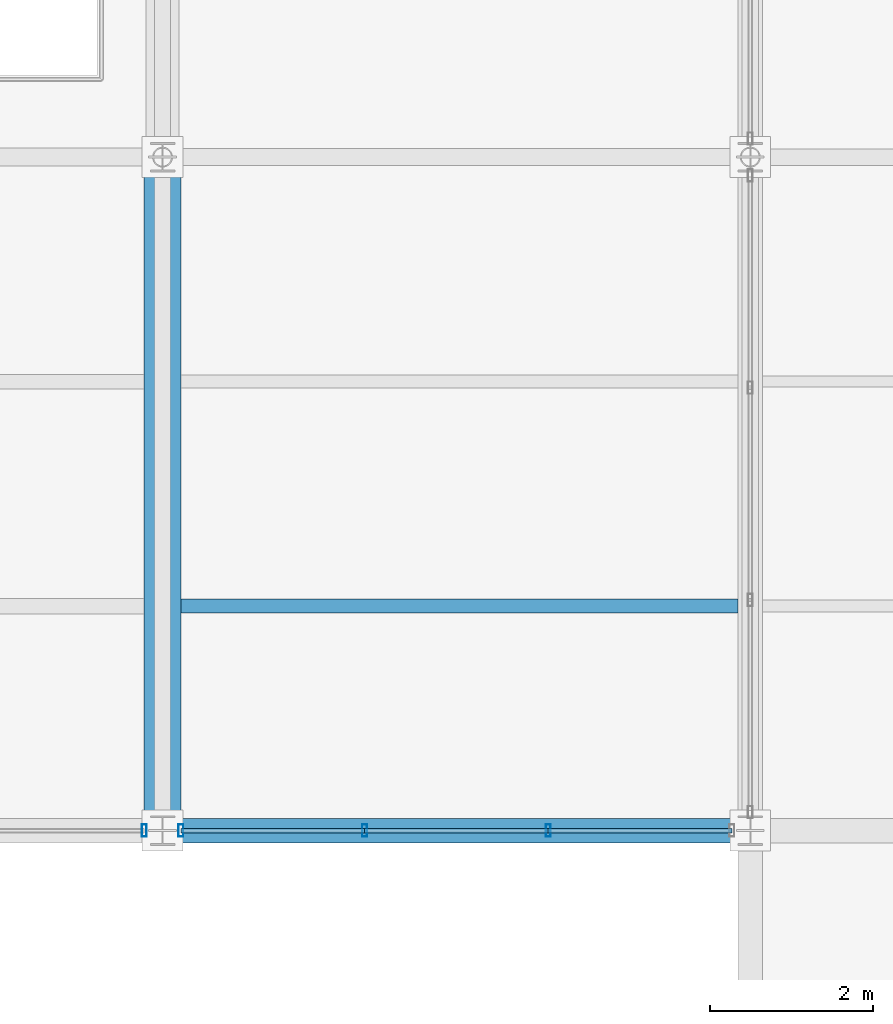
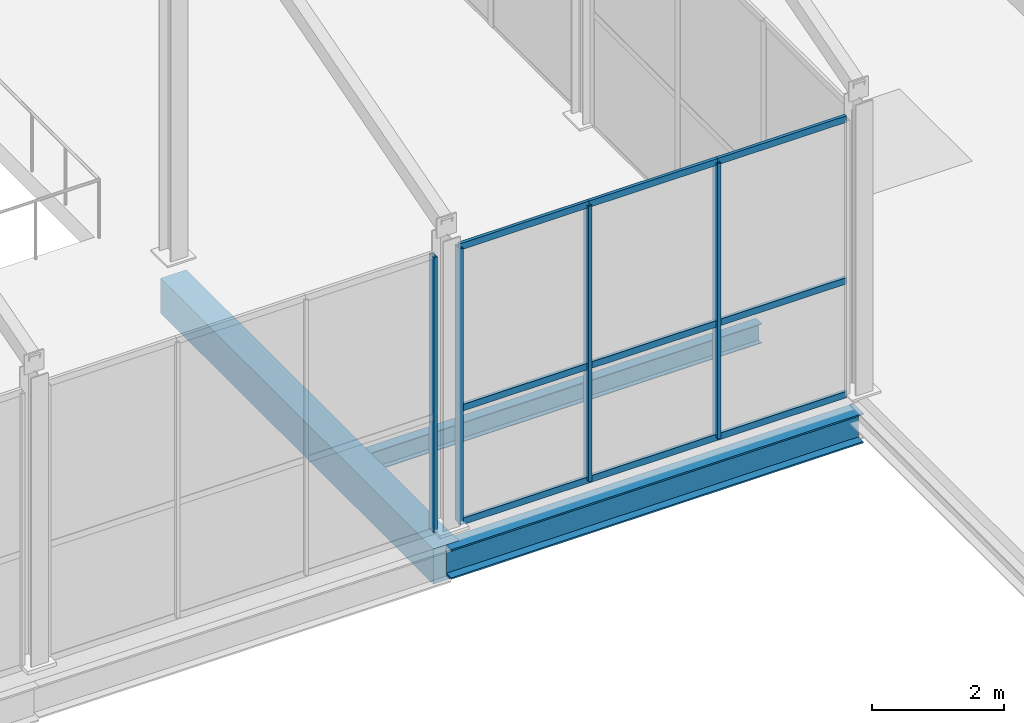
# One storey, part 62 of 141: 13 members, 3 beams, 2 elements without a shape of their own.
"""IFC4 building model written with IfcOpenShell, lengths in metres."""

from ifc_helpers import new_model, si_unit, direction, frame, origin, origin_2d, place, context, subcontext, project, spatial, rectangle, hollow_rectangle, i_section, extrude, material, layer, layer_set, material_profile, profile_set, type_object, element, aggregate, save


model = new_model("IFC4")

# Units and contexts
model_context = context("Model", 3, precision=1e-05, world=origin(), true_north=direction((0.0, 1.0)))
body_context = subcontext(model_context, "Body", "Model", "MODEL_VIEW")
ifc_project = project(units=[si_unit("LENGTHUNIT", "METRE"), si_unit("AREAUNIT", "SQUARE_METRE"), si_unit("VOLUMEUNIT", "CUBIC_METRE"), si_unit("PLANEANGLEUNIT", "RADIAN"), si_unit("MASSUNIT", "GRAM", prefix="KILO")], contexts=[model_context])

# Site, building, storey
site_placement = place(None, origin())
site = spatial("IfcSite", under=ifc_project, at=site_placement, CompositionType="ELEMENT")
building_placement = place(site_placement, origin())
building = spatial("IfcBuilding", under=site, at=building_placement, Name="Sundgate Opera House", CompositionType="ELEMENT")
storey_placement = place(building_placement, frame((0.0, 0.0, 11.39990234375)))
storey = spatial("IfcBuildingStorey", under=building, at=storey_placement, Name="L02", CompositionType="ELEMENT", Elevation=11.39990234375)

# Beams
ifc_material_1 = material(Name="Steel S355J2", Category="steel")
ifc_material_profile_1 = material_profile(ifc_material_1, i_section(OverallWidth=0.300048828125, OverallDepth=0.550048828125, WebThickness=0.014892578125, FlangeThickness=0.029052734375, at=origin_2d()), Name="HEB 550")
ifc_profile_set_1 = profile_set([ifc_material_profile_1], Name="Steel S355J2")
beam_type_1 = type_object("IfcBeamType", Name="BM-GR-HEB550", PredefinedType="BEAM", material=ifc_profile_set_1)
beam_1_placement = place(storey_placement, frame((145.800048828125, 8.25, -0.625), z_axis=(1.0, 0.0, 0.0), x_axis=(0.0, 1.0, 0.0)))
element("IfcBeam", 1, at=beam_1_placement, inside=storey, type_object=beam_type_1, Name="L02 Primary E-W Girder B1970", PredefinedType="BEAM", context=body_context, shape_type="SweptSolid", body=[
    extrude(i_section(OverallWidth=0.300048828125, OverallDepth=0.550048828125, WebThickness=0.014892578125, FlangeThickness=0.029052734375, at=origin_2d()), origin(), (0.0, 0.0, 1.0), 7.199951171875),
])
ifc_material_2 = material(Name="Steel S355J2", Category="steel")
ifc_material_profile_2 = material_profile(ifc_material_2, i_section(OverallWidth=0.169921875, OverallDepth=0.360107421875, WebThickness=0.008056640625, FlangeThickness=0.0126953125, at=origin_2d()), Name="IPE 360")
ifc_profile_set_2 = profile_set([ifc_material_profile_2], Name="Steel S355J2")
beam_type_2 = type_object("IfcBeamType", Name="BM-JS-IPE360", PredefinedType="JOIST", material=ifc_profile_set_2)
beam_2_placement = place(storey_placement, frame((146.02490234375, 11.0, -0.52978515625), z_axis=(1.0, 0.0, 0.0), x_axis=(0.0, 1.0, 0.0)))
element("IfcBeam", 2, at=beam_2_placement, inside=storey, type_object=beam_type_2, Name="L02 Secondary Floor Joist B2159", PredefinedType="JOIST", context=body_context, shape_type="SweptSolid", body=[
    extrude(i_section(OverallWidth=0.169921875, OverallDepth=0.360107421875, WebThickness=0.008056640625, FlangeThickness=0.0126953125, at=origin_2d()), origin(), (0.0, 0.0, 1.0), 6.8251953125),
])
ifc_material_3 = material(Name="Concrete C35/45", Category="concrete")
ifc_material_profile_3 = material_profile(ifc_material_3, rectangle(XDim=0.449951171875, YDim=0.64990234375, at=origin_2d()), Name="RC 450x650")
ifc_profile_set_3 = profile_set([ifc_material_profile_3], Name="Concrete C35/45")
beam_type_3 = type_object("IfcBeamType", Name="BM-RC-450x650", PredefinedType="BEAM", material=ifc_profile_set_3)
beam_3_placement = place(storey_placement, frame((145.800048828125, 8.25, -0.6748046875), z_axis=(0.0, 1.0, 0.0), x_axis=(-1.0, 0.0, 0.0)))
element("IfcBeam", 3, at=beam_3_placement, inside=storey, type_object=beam_type_3, Name="L02 Primary N-S Girder B1920", PredefinedType="BEAM", context=body_context, shape_type="SweptSolid", body=[
    extrude(rectangle(XDim=0.449951171875, YDim=0.64990234375, at=origin_2d()), origin(), (0.0, 0.0, 1.0), 8.25),
])

# Curtain wall, member
ifc_material_4 = material(Name="Anodized aluminium and low-iron glass", Category="aluminium")
ifc_layer = layer(ifc_material_4, 0.14990234375)
ifc_layer_set = layer_set([ifc_layer], Name="Anodized aluminium and low-iron glass")
curtain_wall_type = type_object("IfcCurtainWallType", Name="CW-WORKSHOP-DARK", PredefinedType="NOTDEFINED", material=ifc_layer_set)
curtain_wall_1_placement = place(storey_placement, origin())
curtain_wall_1 = element("IfcCurtainWall", 4, at=curtain_wall_1_placement, inside=storey, type_object=curtain_wall_type, Name="L02 Curtain Wall CW160", PredefinedType="NOTDEFINED")
ifc_material_5 = material(Name="Anodized aluminium EN AW-6063", Category="aluminium")
ifc_material_profile_4 = material_profile(ifc_material_5, hollow_rectangle(XDim=0.06005859375, YDim=0.14990234375, WallThickness=0.00390625, at=origin_2d()), Name="CWM 150x60x4")
ifc_profile_set_4 = profile_set([ifc_material_profile_4], Name="Anodized aluminium EN AW-6063")
member_type_1 = type_object("IfcMemberType", Name="CWM-ALU-150x60", PredefinedType="MULLION", material=ifc_profile_set_4)
member_1_placement = place(storey_placement, frame((145.574951171875, 8.25, 0.0), z_axis=(0.0, 0.0, 1.0), x_axis=(1.0, 0.0, 0.0)))
member_1 = element("IfcMember", 5, at=member_1_placement, type_object=member_type_1, Name="CW160 Mullion 1", PredefinedType="MULLION", context=body_context, shape_type="SweptSolid", body=[
    extrude(hollow_rectangle(XDim=0.06005859375, YDim=0.14990234375, WallThickness=0.00390625, at=origin_2d()), origin(), (0.0, 0.0, 1.0), 5.085205078125),
])
aggregate(curtain_wall_1, [member_1])

# Curtain wall, members
curtain_wall_2_placement = place(storey_placement, origin())
curtain_wall_2 = element("IfcCurtainWall", 6, at=curtain_wall_2_placement, inside=storey, type_object=curtain_wall_type, Name="L02 Curtain Wall CW161", PredefinedType="NOTDEFINED")
member_2_placement = place(storey_placement, frame((150.52490234375, 8.25, 0.0), z_axis=(0.0, 0.0, 1.0), x_axis=(1.0, 0.0, 0.0)))
member_2 = element("IfcMember", 7, at=member_2_placement, type_object=member_type_1, Name="CW161 Mullion 2", PredefinedType="MULLION", context=body_context, shape_type="SweptSolid", body=[
    extrude(hollow_rectangle(XDim=0.06005859375, YDim=0.14990234375, WallThickness=0.00390625, at=origin_2d()), origin(), (0.0, 0.0, 1.0), 5.085205078125),
])
member_3_placement = place(storey_placement, frame((148.27490234375, 8.25, 0.0), z_axis=(0.0, 0.0, 1.0), x_axis=(1.0, 0.0, 0.0)))
member_3 = element("IfcMember", 8, at=member_3_placement, type_object=member_type_1, Name="CW161 Mullion 3", PredefinedType="MULLION", context=body_context, shape_type="SweptSolid", body=[
    extrude(hollow_rectangle(XDim=0.06005859375, YDim=0.14990234375, WallThickness=0.00390625, at=origin_2d()), origin(), (0.0, 0.0, 1.0), 5.085205078125),
])
member_4_placement = place(storey_placement, frame((146.02490234375, 8.25, 0.0), z_axis=(0.0, 0.0, 1.0), x_axis=(1.0, 0.0, 0.0)))
member_4 = element("IfcMember", 9, at=member_4_placement, type_object=member_type_1, Name="CW161 Mullion 4", PredefinedType="MULLION", context=body_context, shape_type="SweptSolid", body=[
    extrude(hollow_rectangle(XDim=0.06005859375, YDim=0.14990234375, WallThickness=0.00390625, at=origin_2d()), origin(), (0.0, 0.0, 1.0), 5.085205078125),
])
ifc_material_6 = material(Name="Anodized aluminium EN AW-6063", Category="aluminium")
ifc_material_profile_5 = material_profile(ifc_material_6, hollow_rectangle(XDim=0.054931640625, YDim=0.1201171875, WallThickness=0.00390625, at=origin_2d()), Name="CWT 120x55x4")
ifc_profile_set_5 = profile_set([ifc_material_profile_5], Name="Anodized aluminium EN AW-6063")
member_type_2 = type_object("IfcMemberType", Name="CWT-ALU-120x55", PredefinedType="USERDEFINED", material=ifc_profile_set_5)
member_5_placement = place(storey_placement, frame((152.77490234375, 8.25, 0.0), z_axis=(-1.0, 0.0, 0.0), x_axis=(0.0, -1.0, 0.0)))
member_5 = element("IfcMember", 10, at=member_5_placement, type_object=member_type_2, Name="CW161 Transom 1", ObjectType="TRANSOM", PredefinedType="USERDEFINED", context=body_context, shape_type="SweptSolid", body=[
    extrude(hollow_rectangle(XDim=0.054931640625, YDim=0.1201171875, WallThickness=0.00390625, at=origin_2d()), origin(), (0.0, 0.0, 1.0), 2.25),
])
member_6_placement = place(storey_placement, frame((152.77490234375, 8.25, 2.10009765625), z_axis=(-1.0, 0.0, 0.0), x_axis=(0.0, -1.0, 0.0)))
member_6 = element("IfcMember", 11, at=member_6_placement, type_object=member_type_2, Name="CW161 Transom 2", ObjectType="TRANSOM", PredefinedType="USERDEFINED", context=body_context, shape_type="SweptSolid", body=[
    extrude(hollow_rectangle(XDim=0.054931640625, YDim=0.1201171875, WallThickness=0.00390625, at=origin_2d()), origin(), (0.0, 0.0, 1.0), 2.25),
])
member_7_placement = place(storey_placement, frame((152.77490234375, 8.25, 5.085205078125), z_axis=(-1.0, 0.0, 0.0), x_axis=(0.0, -1.0, 0.0)))
member_7 = element("IfcMember", 12, at=member_7_placement, type_object=member_type_2, Name="CW161 Transom 3", ObjectType="TRANSOM", PredefinedType="USERDEFINED", context=body_context, shape_type="SweptSolid", body=[
    extrude(hollow_rectangle(XDim=0.054931640625, YDim=0.1201171875, WallThickness=0.00390625, at=origin_2d()), origin(), (0.0, 0.0, 1.0), 2.25),
])
member_8_placement = place(storey_placement, frame((150.52490234375, 8.25, 0.0), z_axis=(-1.0, 0.0, 0.0), x_axis=(0.0, -1.0, 0.0)))
member_8 = element("IfcMember", 13, at=member_8_placement, type_object=member_type_2, Name="CW161 Transom 4", ObjectType="TRANSOM", PredefinedType="USERDEFINED", context=body_context, shape_type="SweptSolid", body=[
    extrude(hollow_rectangle(XDim=0.054931640625, YDim=0.1201171875, WallThickness=0.00390625, at=origin_2d()), origin(), (0.0, 0.0, 1.0), 2.25),
])
member_9_placement = place(storey_placement, frame((150.52490234375, 8.25, 2.10009765625), z_axis=(-1.0, 0.0, 0.0), x_axis=(0.0, -1.0, 0.0)))
member_9 = element("IfcMember", 14, at=member_9_placement, type_object=member_type_2, Name="CW161 Transom 5", ObjectType="TRANSOM", PredefinedType="USERDEFINED", context=body_context, shape_type="SweptSolid", body=[
    extrude(hollow_rectangle(XDim=0.054931640625, YDim=0.1201171875, WallThickness=0.00390625, at=origin_2d()), origin(), (0.0, 0.0, 1.0), 2.25),
])
member_10_placement = place(storey_placement, frame((150.52490234375, 8.25, 5.085205078125), z_axis=(-1.0, 0.0, 0.0), x_axis=(0.0, -1.0, 0.0)))
member_10 = element("IfcMember", 15, at=member_10_placement, type_object=member_type_2, Name="CW161 Transom 6", ObjectType="TRANSOM", PredefinedType="USERDEFINED", context=body_context, shape_type="SweptSolid", body=[
    extrude(hollow_rectangle(XDim=0.054931640625, YDim=0.1201171875, WallThickness=0.00390625, at=origin_2d()), origin(), (0.0, 0.0, 1.0), 2.25),
])
member_11_placement = place(storey_placement, frame((148.27490234375, 8.25, 0.0), z_axis=(-1.0, 0.0, 0.0), x_axis=(0.0, -1.0, 0.0)))
member_11 = element("IfcMember", 16, at=member_11_placement, type_object=member_type_2, Name="CW161 Transom 7", ObjectType="TRANSOM", PredefinedType="USERDEFINED", context=body_context, shape_type="SweptSolid", body=[
    extrude(hollow_rectangle(XDim=0.054931640625, YDim=0.1201171875, WallThickness=0.00390625, at=origin_2d()), origin(), (0.0, 0.0, 1.0), 2.25),
])
member_12_placement = place(storey_placement, frame((148.27490234375, 8.25, 2.10009765625), z_axis=(-1.0, 0.0, 0.0), x_axis=(0.0, -1.0, 0.0)))
member_12 = element("IfcMember", 17, at=member_12_placement, type_object=member_type_2, Name="CW161 Transom 8", ObjectType="TRANSOM", PredefinedType="USERDEFINED", context=body_context, shape_type="SweptSolid", body=[
    extrude(hollow_rectangle(XDim=0.054931640625, YDim=0.1201171875, WallThickness=0.00390625, at=origin_2d()), origin(), (0.0, 0.0, 1.0), 2.25),
])
member_13_placement = place(storey_placement, frame((148.27490234375, 8.25, 5.085205078125), z_axis=(-1.0, 0.0, 0.0), x_axis=(0.0, -1.0, 0.0)))
member_13 = element("IfcMember", 18, at=member_13_placement, type_object=member_type_2, Name="CW161 Transom 9", ObjectType="TRANSOM", PredefinedType="USERDEFINED", context=body_context, shape_type="SweptSolid", body=[
    extrude(hollow_rectangle(XDim=0.054931640625, YDim=0.1201171875, WallThickness=0.00390625, at=origin_2d()), origin(), (0.0, 0.0, 1.0), 2.25),
])
aggregate(curtain_wall_2, [member_2, member_3, member_4, member_5, member_6, member_7, member_8, member_9, member_10, member_11, member_12, member_13])

save(model, "model.ifc")
